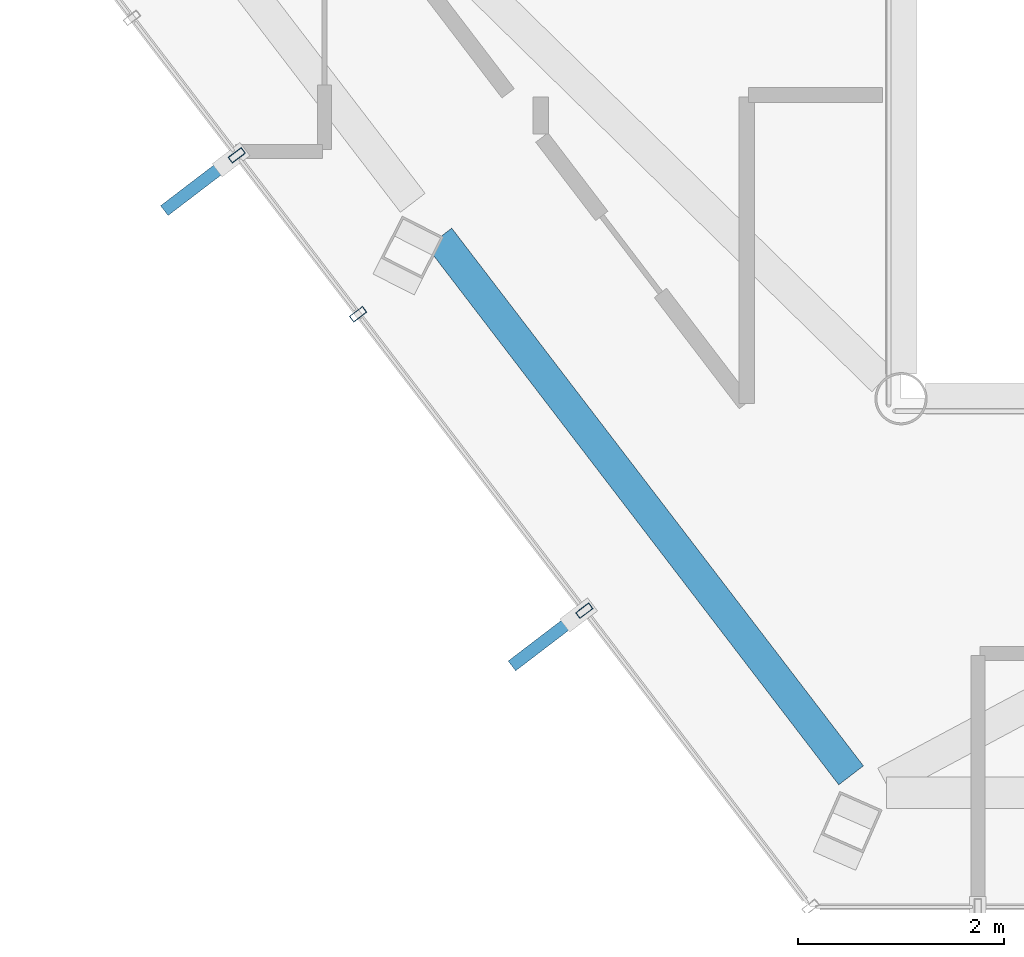
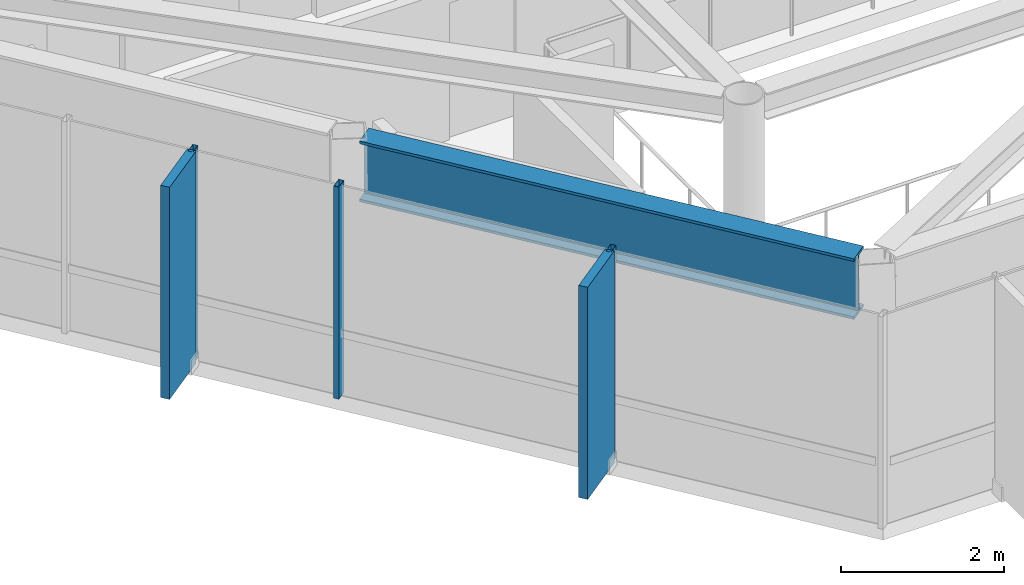
# One storey, part 2 of 22: 5 members, 1 beam, 1 element without a shape of its own.
"""IFC4 building model written with IfcOpenShell, lengths in metres."""

from ifc_helpers import new_model, si_unit, direction, frame, origin, origin_2d, place, context, subcontext, project, spatial, rectangle, hollow_rectangle, i_section, extrude, material, layer, layer_set, material_profile, profile_set, type_object, element, aggregate, save


model = new_model("IFC4")

# Units and contexts
model_context = context("Model", 3, precision=1e-05, world=origin(), true_north=direction((0.0, 1.0)))
body_context = subcontext(model_context, "Body", "Model", "MODEL_VIEW")
ifc_project = project(units=[si_unit("LENGTHUNIT", "METRE"), si_unit("AREAUNIT", "SQUARE_METRE"), si_unit("VOLUMEUNIT", "CUBIC_METRE"), si_unit("PLANEANGLEUNIT", "RADIAN"), si_unit("MASSUNIT", "GRAM", prefix="KILO")], contexts=[model_context])

# Site, building, storey
site_placement = place(None, origin())
site = spatial("IfcSite", under=ifc_project, at=site_placement, CompositionType="ELEMENT")
building_placement = place(site_placement, origin())
building = spatial("IfcBuilding", under=site, at=building_placement, Name="Zarrinselat Tower", CompositionType="ELEMENT")
storey_placement = place(building_placement, frame((0.0, 0.0, 295.800048828125)))
storey = spatial("IfcBuildingStorey", under=building, at=storey_placement, Name="L76", CompositionType="ELEMENT", Elevation=295.800048828125)

# Beam
ifc_material_1 = material(Name="Steel S460M", Category="steel")
ifc_material_profile_1 = material_profile(ifc_material_1, i_section(OverallWidth=0.302001953125, OverallDepth=0.909912109375, WebThickness=0.02099609375, FlangeThickness=0.0400390625, at=origin_2d()), Name="HEM 900")
ifc_profile_set_1 = profile_set([ifc_material_profile_1], Name="Steel S460M")
beam_type = type_object("IfcBeamType", Name="BM-HEM900", PredefinedType="BEAM", material=ifc_profile_set_1)
beam_placement = place(storey_placement, frame((30.51708984375, 26.7646484375, 2.724853515625), z_axis=(0.607893681854, -0.794018432759, 0.0), x_axis=(0.794018432759, 0.607893681854, 0.0)))
element("IfcBeam", 1, at=beam_placement, inside=storey, type_object=beam_type, Name="L76 Perimeter Spandrel Girder SP09", PredefinedType="BEAM", context=body_context, shape_type="SweptSolid", body=[
    extrude(i_section(OverallWidth=0.302001953125, OverallDepth=0.909912109375, WebThickness=0.02099609375, FlangeThickness=0.0400390625, at=origin_2d()), origin(), (0.0, 0.0, 1.0), 6.576904296875),
])

# Curtain wall, members
ifc_material_2 = material(Name="Extruded Aluminium Alloy EN AW-6063 T6", Category="aluminium")
ifc_layer = layer(ifc_material_2, 0.169921875)
ifc_layer_set = layer_set([ifc_layer], Name="Extruded Aluminium Alloy EN AW-6063 T6")
curtain_wall_type = type_object("IfcCurtainWallType", Name="CWS-RES", PredefinedType="NOTDEFINED", material=ifc_layer_set)
curtain_wall_placement = place(storey_placement, origin())
curtain_wall = element("IfcCurtainWall", 2, at=curtain_wall_placement, inside=storey, type_object=curtain_wall_type, Name="L76 Unitised Curtain Wall CW-L76-E03", PredefinedType="NOTDEFINED")
ifc_material_3 = material(Name="Extruded Aluminium Alloy EN AW-6063 T6", Category="aluminium")
ifc_material_profile_2 = material_profile(ifc_material_3, hollow_rectangle(XDim=0.070068359375, YDim=0.159912109375, WallThickness=0.00390625, at=origin_2d()), Name="RHS 160x70x4")
ifc_profile_set_2 = profile_set([ifc_material_profile_2], Name="Extruded Aluminium Alloy EN AW-6063 T6")
member_type_1 = type_object("IfcMemberType", Name="MEM-CW-MUL2", PredefinedType="MULLION", material=ifc_profile_set_2)
member_1_placement = place(storey_placement, frame((28.549072265625, 27.563720703125, 0.0), z_axis=(0.0, 0.0, 1.0), x_axis=(0.606801746242, -0.794853219631, 0.0)))
member_1 = element("IfcMember", 3, at=member_1_placement, type_object=member_type_1, Name="CW-L76-E03 Mullion 7", PredefinedType="MULLION", context=body_context, shape_type="SweptSolid", body=[
    extrude(hollow_rectangle(XDim=0.070068359375, YDim=0.159912109375, WallThickness=0.00390625, at=origin_2d()), origin(), (0.0, 0.0, 1.0), 3.179931640625),
])
member_2_placement = place(storey_placement, frame((29.7275390625, 26.02001953125, 0.0), z_axis=(0.0, 0.0, 1.0), x_axis=(0.606801746242, -0.794853219631, 0.0)))
member_2 = element("IfcMember", 4, at=member_2_placement, type_object=member_type_1, Name="CW-L76-E03 Mullion 8", PredefinedType="MULLION", context=body_context, shape_type="SweptSolid", body=[
    extrude(hollow_rectangle(XDim=0.070068359375, YDim=0.159912109375, WallThickness=0.00390625, at=origin_2d()), origin(), (0.0, 0.0, 1.0), 3.179931640625),
])
member_3_placement = place(storey_placement, frame((31.924560546875, 23.14208984375, 0.0), z_axis=(0.0, 0.0, 1.0), x_axis=(0.606801746242, -0.794853219631, 0.0)))
member_3 = element("IfcMember", 5, at=member_3_placement, type_object=member_type_1, Name="CW-L76-E03 Mullion 9", PredefinedType="MULLION", context=body_context, shape_type="SweptSolid", body=[
    extrude(hollow_rectangle(XDim=0.070068359375, YDim=0.159912109375, WallThickness=0.00390625, at=origin_2d()), origin(), (0.0, 0.0, 1.0), 3.179931640625),
])
ifc_material_4 = material(Name="Honed Cream Travertine Stone", Category="masonry")
ifc_material_profile_3 = material_profile(ifc_material_4, rectangle(XDim=0.1201171875, YDim=0.85009765625, at=origin_2d()), Name="FIN 850x120")
ifc_profile_set_3 = profile_set([ifc_material_profile_3], Name="Honed Cream Travertine Stone")
member_type_2 = type_object("IfcMemberType", Name="MEM-STONE-FIN", PredefinedType="USERDEFINED", material=ifc_profile_set_3)
member_4_placement = place(storey_placement, frame((28.18359375, 27.284423828125, 0.0), z_axis=(0.0, 0.0, 1.0), x_axis=(-0.606801746242, 0.794853219631, 0.0)))
member_4 = element("IfcMember", 6, at=member_4_placement, type_object=member_type_2, Name="L76 Stone Shading Fin CW-L76-E03-07", ObjectType="FIN", PredefinedType="USERDEFINED", context=body_context, shape_type="SweptSolid", body=[
    extrude(rectangle(XDim=0.1201171875, YDim=0.85009765625, at=origin_2d()), origin(), (0.0, 0.0, 1.0), 3.179931640625),
])
member_5_placement = place(storey_placement, frame((31.55908203125, 22.863037109375, 0.0), z_axis=(0.0, 0.0, 1.0), x_axis=(-0.606801746242, 0.794853219631, 0.0)))
member_5 = element("IfcMember", 7, at=member_5_placement, type_object=member_type_2, Name="L76 Stone Shading Fin CW-L76-E03-09", ObjectType="FIN", PredefinedType="USERDEFINED", context=body_context, shape_type="SweptSolid", body=[
    extrude(rectangle(XDim=0.1201171875, YDim=0.85009765625, at=origin_2d()), origin(), (0.0, 0.0, 1.0), 3.179931640625),
])
aggregate(curtain_wall, [member_1, member_4, member_2, member_3, member_5])

save(model, "model.ifc")
